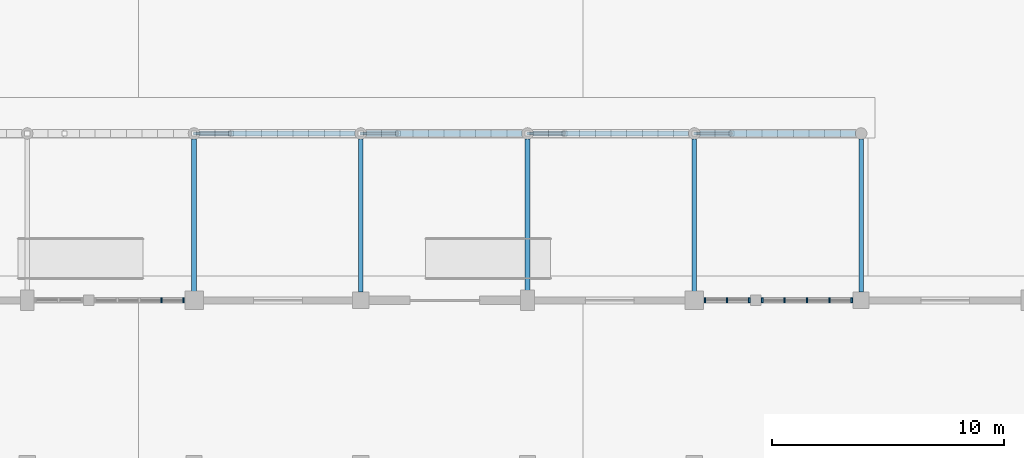
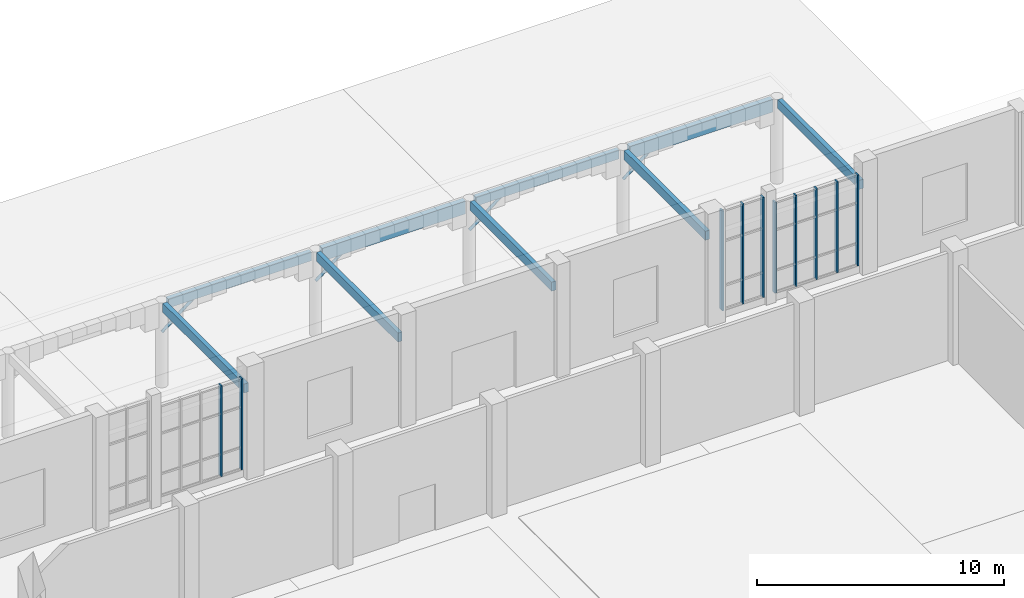
# One storey, part 32 of 85: 14 members, 9 beams, 3 elements without a shape of their own.
"""IFC4 building model written with IfcOpenShell, lengths in metres."""

from ifc_helpers import new_model, si_unit, direction, frame, origin, origin_2d, place, context, subcontext, project, spatial, rectangle, hollow_circle, extrude, material, material_profile, profile_set, type_object, element, aggregate, save


model = new_model("IFC4")

# Units and contexts
model_context = context("Model", 3, precision=1e-05, world=origin(), true_north=direction((0.0, 1.0)))
body_context = subcontext(model_context, "Body", "Model", "MODEL_VIEW")
ifc_project = project(units=[si_unit("LENGTHUNIT", "METRE"), si_unit("AREAUNIT", "SQUARE_METRE"), si_unit("VOLUMEUNIT", "CUBIC_METRE"), si_unit("PLANEANGLEUNIT", "RADIAN"), si_unit("MASSUNIT", "GRAM", prefix="KILO")], contexts=[model_context])

# Site, building, storey
site_placement = place(None, origin())
site = spatial("IfcSite", under=ifc_project, at=site_placement, CompositionType="ELEMENT")
building_placement = place(site_placement, origin())
building = spatial("IfcBuilding", under=site, at=building_placement, Name="Sardonyx Promenade Sports Hall", CompositionType="ELEMENT")
storey_placement = place(building_placement, origin())
storey = spatial("IfcBuildingStorey", under=building, at=storey_placement, Name="L00", CompositionType="ELEMENT", Elevation=0.0)

# Beams
ifc_material_1 = material(Name="Glulam GL28h", Category="wood")
ifc_material_profile_1 = material_profile(ifc_material_1, rectangle(XDim=0.239990234375, YDim=0.639892578125, at=origin_2d()))
ifc_profile_set_1 = profile_set([ifc_material_profile_1], Name="Glulam GL28h")
beam_type_1 = type_object("IfcBeamType", Name="Bm_Canopy_GL640", PredefinedType="BEAM", material=ifc_profile_set_1)
for number, where, z_axis, x_axis, name in (
    (1, (137.044921875, 93.60009765625, 3.8798828125), (1.0, 0.0, 0.0), (0.0, 1.0, 0.0), "Promenade colonnade glulam beam #4"),
    (2, (151.445068359375, 93.60009765625, 3.8798828125), (1.0, 0.0, 0.0), (0.0, 1.0, 0.0), "Promenade colonnade glulam beam #6"),
):
    element("IfcBeam", number, at=place(storey_placement, frame(where, z_axis=z_axis, x_axis=x_axis)), inside=storey, type_object=beam_type_1, Name=name, PredefinedType="BEAM", context=body_context, shape_type="SweptSolid", body=[
        extrude(rectangle(XDim=0.239990234375, YDim=0.639892578125, at=origin_2d()), origin(), (0.0, 0.0, 1.0), 6.7099609375),
    ])
ifc_material_2 = material(Name="Glulam GL28h", Category="wood")
ifc_material_profile_2 = material_profile(ifc_material_2, rectangle(XDim=0.199951171875, YDim=0.449951171875, at=origin_2d()))
ifc_profile_set_2 = profile_set([ifc_material_profile_2], Name="Glulam GL28h")
beam_type_2 = type_object("IfcBeamType", Name="Bm_Riwaq_GL450", PredefinedType="BEAM", material=ifc_profile_set_2)
for number, where, z_axis, x_axis, name in (
    (3, (129.844970703125, 93.60009765625, 3.97509765625), (1.0, 0.0, 0.0), (0.0, 1.0, 0.0), "Promenade colonnade glulam beam #3"),
    (4, (144.2451171875, 93.60009765625, 3.97509765625), (1.0, 0.0, 0.0), (0.0, 1.0, 0.0), "Promenade colonnade glulam beam #5"),
):
    element("IfcBeam", number, at=place(storey_placement, frame(where, z_axis=z_axis, x_axis=x_axis)), inside=storey, type_object=beam_type_2, Name=name, PredefinedType="BEAM", context=body_context, shape_type="SweptSolid", body=[
        extrude(rectangle(XDim=0.199951171875, YDim=0.449951171875, at=origin_2d()), origin(), (0.0, 0.0, 1.0), 6.7099609375),
    ])
for number, where, z_axis, x_axis, name in (
    (5, (129.60009765625, 86.75, 3.97509765625), (0.0, 1.0, 0.0), (-1.0, 0.0, 0.0), "Promenade colonnade transverse tie beam #3"),
    (6, (136.800048828125, 86.75, 3.97509765625), (0.0, 1.0, 0.0), (-1.0, 0.0, 0.0), "Promenade colonnade transverse tie beam #4"),
    (7, (144.0, 86.75, 3.97509765625), (0.0, 1.0, 0.0), (-1.0, 0.0, 0.0), "Promenade colonnade transverse tie beam #5"),
    (8, (151.199951171875, 86.75, 3.97509765625), (0.0, 1.0, 0.0), (-1.0, 0.0, 0.0), "Promenade colonnade transverse tie beam #6"),
    (9, (158.39990234375, 86.75, 3.97509765625), (0.0, 1.0, 0.0), (-1.0, 0.0, 0.0), "Promenade colonnade transverse tie beam #7"),
):
    element("IfcBeam", number, at=place(storey_placement, frame(where, z_axis=z_axis, x_axis=x_axis)), inside=storey, type_object=beam_type_2, Name=name, PredefinedType="BEAM", context=body_context, shape_type="SweptSolid", body=[
        extrude(rectangle(XDim=0.199951171875, YDim=0.449951171875, at=origin_2d()), origin(), (0.0, 0.0, 1.0), 6.60498046875),
    ])

# Curtain wall, members
ifc_material_3 = material(Name="Aluminium 6063-T6", Category="aluminium")
curtain_wall_type_1 = type_object("IfcCurtainWallType", Name="CW_Prac_North_L00", PredefinedType="USERDEFINED", material=ifc_material_3)
curtain_wall_1_placement = place(storey_placement, origin())
curtain_wall_1 = element("IfcCurtainWall", 10, at=curtain_wall_1_placement, inside=storey, type_object=curtain_wall_type_1, Name="Curtain wall CW06 cw:L00:100", ObjectType="CURTAIN WALL", PredefinedType="USERDEFINED")
ifc_material_4 = material(Name="Aluminium 6063-T6", Category="aluminium")
ifc_material_profile_3 = material_profile(ifc_material_4, rectangle(XDim=0.070068359375, YDim=0.199951171875, at=origin_2d()))
ifc_profile_set_3 = profile_set([ifc_material_profile_3], Name="Aluminium 6063-T6")
member_type_1 = type_object("IfcMemberType", Name="CW_Mull_200", PredefinedType="MULLION", material=ifc_profile_set_3)
member_1_placement = place(storey_placement, frame((128.191162109375, 86.39990234375, 0.35009765625), z_axis=(0.0, 0.0, 1.0), x_axis=(1.0, 0.0, 0.0)))
member_1 = element("IfcMember", 11, at=member_1_placement, type_object=member_type_1, Name="Mullion CM03 cw:L00:100 #4", PredefinedType="MULLION", context=body_context, shape_type="SweptSolid", body=[
    extrude(rectangle(XDim=0.070068359375, YDim=0.199951171875, at=origin_2d()), origin(), (0.0, 0.0, 1.0), 4.5),
])
member_2_placement = place(storey_placement, frame((129.14501953125, 86.39990234375, 0.35009765625), z_axis=(0.0, 0.0, 1.0), x_axis=(1.0, 0.0, 0.0)))
member_2 = element("IfcMember", 12, at=member_2_placement, type_object=member_type_1, Name="Mullion CM03 cw:L00:100 #5", PredefinedType="MULLION", context=body_context, shape_type="SweptSolid", body=[
    extrude(rectangle(XDim=0.070068359375, YDim=0.199951171875, at=origin_2d()), origin(), (0.0, 0.0, 1.0), 4.5),
])
aggregate(curtain_wall_1, [member_1, member_2])

curtain_wall_2_placement = place(storey_placement, origin())
curtain_wall_2 = element("IfcCurtainWall", 13, at=curtain_wall_2_placement, inside=storey, type_object=curtain_wall_type_1, Name="Curtain wall CW06 cw:L00:102", ObjectType="CURTAIN WALL", PredefinedType="USERDEFINED")
member_3_placement = place(storey_placement, frame((154.1298828125, 86.39990234375, 0.35009765625), z_axis=(0.0, 0.0, 1.0), x_axis=(1.0, 0.0, 0.0)))
member_3 = element("IfcMember", 14, at=member_3_placement, type_object=member_type_1, Name="Mullion CM03 cw:L00:102 #1", PredefinedType="MULLION", context=body_context, shape_type="SweptSolid", body=[
    extrude(rectangle(XDim=0.070068359375, YDim=0.199951171875, at=origin_2d()), origin(), (0.0, 0.0, 1.0), 4.5),
])
member_4_placement = place(storey_placement, frame((155.09619140625, 86.39990234375, 0.35009765625), z_axis=(0.0, 0.0, 1.0), x_axis=(1.0, 0.0, 0.0)))
member_4 = element("IfcMember", 15, at=member_4_placement, type_object=member_type_1, Name="Mullion CM03 cw:L00:102 #2", PredefinedType="MULLION", context=body_context, shape_type="SweptSolid", body=[
    extrude(rectangle(XDim=0.070068359375, YDim=0.199951171875, at=origin_2d()), origin(), (0.0, 0.0, 1.0), 4.5),
])
member_5_placement = place(storey_placement, frame((156.0625, 86.39990234375, 0.35009765625), z_axis=(0.0, 0.0, 1.0), x_axis=(1.0, 0.0, 0.0)))
member_5 = element("IfcMember", 16, at=member_5_placement, type_object=member_type_1, Name="Mullion CM03 cw:L00:102 #3", PredefinedType="MULLION", context=body_context, shape_type="SweptSolid", body=[
    extrude(rectangle(XDim=0.070068359375, YDim=0.199951171875, at=origin_2d()), origin(), (0.0, 0.0, 1.0), 4.5),
])
member_6_placement = place(storey_placement, frame((157.02880859375, 86.39990234375, 0.35009765625), z_axis=(0.0, 0.0, 1.0), x_axis=(1.0, 0.0, 0.0)))
member_6 = element("IfcMember", 17, at=member_6_placement, type_object=member_type_1, Name="Mullion CM03 cw:L00:102 #4", PredefinedType="MULLION", context=body_context, shape_type="SweptSolid", body=[
    extrude(rectangle(XDim=0.070068359375, YDim=0.199951171875, at=origin_2d()), origin(), (0.0, 0.0, 1.0), 4.5),
])
member_7_placement = place(storey_placement, frame((157.9951171875, 86.39990234375, 0.35009765625), z_axis=(0.0, 0.0, 1.0), x_axis=(1.0, 0.0, 0.0)))
member_7 = element("IfcMember", 18, at=member_7_placement, type_object=member_type_1, Name="Mullion CM03 cw:L00:102 #5", PredefinedType="MULLION", context=body_context, shape_type="SweptSolid", body=[
    extrude(rectangle(XDim=0.070068359375, YDim=0.199951171875, at=origin_2d()), origin(), (0.0, 0.0, 1.0), 4.5),
])
aggregate(curtain_wall_2, [member_3, member_4, member_5, member_6, member_7])

ifc_material_5 = material(Name="Aluminium 6063-T6", Category="aluminium")
curtain_wall_type_2 = type_object("IfcCurtainWallType", Name="CW_Foyer_Pilaster_L00", PredefinedType="USERDEFINED", material=ifc_material_5)
curtain_wall_3_placement = place(storey_placement, origin())
curtain_wall_3 = element("IfcCurtainWall", 19, at=curtain_wall_3_placement, inside=storey, type_object=curtain_wall_type_2, Name="Curtain wall CW20 cw:L00:101", ObjectType="CURTAIN WALL", PredefinedType="USERDEFINED")
ifc_material_6 = material(Name="Aluminium 6063-T6", Category="aluminium")
ifc_material_profile_4 = material_profile(ifc_material_6, rectangle(XDim=0.074951171875, YDim=0.22509765625, at=origin_2d()))
ifc_profile_set_4 = profile_set([ifc_material_profile_4], Name="Aluminium 6063-T6")
member_type_2 = type_object("IfcMemberType", Name="CW_Mull_225", PredefinedType="MULLION", material=ifc_profile_set_4)
member_8_placement = place(storey_placement, frame((151.657470703125, 86.39990234375, 0.35009765625), z_axis=(0.0, 0.0, 1.0), x_axis=(1.0, 0.0, 0.0)))
member_8 = element("IfcMember", 20, at=member_8_placement, type_object=member_type_2, Name="Mullion CM04 cw:L00:101 #1", PredefinedType="MULLION", context=body_context, shape_type="SweptSolid", body=[
    extrude(rectangle(XDim=0.074951171875, YDim=0.22509765625, at=origin_2d()), origin(), (0.0, 0.0, 1.0), 4.949951171875),
])
member_9_placement = place(storey_placement, frame((152.612548828125, 86.39990234375, 0.35009765625), z_axis=(0.0, 0.0, 1.0), x_axis=(1.0, 0.0, 0.0)))
member_9 = element("IfcMember", 21, at=member_9_placement, type_object=member_type_2, Name="Mullion CM04 cw:L00:101 #2", PredefinedType="MULLION", context=body_context, shape_type="SweptSolid", body=[
    extrude(rectangle(XDim=0.074951171875, YDim=0.22509765625, at=origin_2d()), origin(), (0.0, 0.0, 1.0), 4.949951171875),
])
member_10_placement = place(storey_placement, frame((153.5673828125, 86.39990234375, 0.35009765625), z_axis=(0.0, 0.0, 1.0), x_axis=(1.0, 0.0, 0.0)))
member_10 = element("IfcMember", 22, at=member_10_placement, type_object=member_type_2, Name="Mullion CM04 cw:L00:101 #3", PredefinedType="MULLION", context=body_context, shape_type="SweptSolid", body=[
    extrude(rectangle(XDim=0.074951171875, YDim=0.22509765625, at=origin_2d()), origin(), (0.0, 0.0, 1.0), 4.949951171875),
])
aggregate(curtain_wall_3, [member_8, member_9, member_10])

# Members
ifc_material_7 = material(Name="Steel S355JR", Category="steel")
ifc_material_profile_5 = material_profile(ifc_material_7, hollow_circle(Radius=0.06982421875, WallThickness=0.008056640625, at=origin_2d()))
ifc_profile_set_5 = profile_set([ifc_material_profile_5], Name="Steel S355JR")
member_type_3 = type_object("IfcMemberType", Name="Mbr_Strut_CHS140", PredefinedType="STRUT", material=ifc_profile_set_5)
for number, where, z_axis, x_axis, name in (
    (23, (129.60009765625, 93.60009765625, 2.60009765625), (0.787997026871, 0.0, 0.615679044343), (0.0, 1.0, 0.0), "Pergola knee-brace strut #8"),
    (24, (136.800048828125, 93.60009765625, 2.60009765625), (0.787997026871, 0.0, 0.615679044343), (0.0, 1.0, 0.0), "Pergola knee-brace strut #9"),
):
    element("IfcMember", number, at=place(storey_placement, frame(where, z_axis=z_axis, x_axis=x_axis)), inside=storey, type_object=member_type_3, Name=name, PredefinedType="STRUT", context=body_context, shape_type="SweptSolid", body=[
        extrude(hollow_circle(Radius=0.06982421875, WallThickness=0.008056640625, at=origin_2d()), origin(), (0.0, 0.0, 1.0), 2.0302734375),
    ])
for number, where, z_axis, x_axis, name in (
    (25, (144.0, 93.60009765625, 2.60009765625), (0.788042602369, 0.0, 0.615620708595), (0.0, 1.0, 0.0), "Pergola knee-brace strut #10"),
    (26, (151.199951171875, 93.60009765625, 2.60009765625), (0.788042602369, 0.0, 0.615620708595), (0.0, 1.0, 0.0), "Pergola knee-brace strut #11"),
):
    element("IfcMember", number, at=place(storey_placement, frame(where, z_axis=z_axis, x_axis=x_axis)), inside=storey, type_object=member_type_3, Name=name, PredefinedType="STRUT", context=body_context, shape_type="SweptSolid", body=[
        extrude(hollow_circle(Radius=0.06982421875, WallThickness=0.008056640625, at=origin_2d()), origin(), (0.0, 0.0, 1.0), 2.030517578125),
    ])

save(model, "model.ifc")
